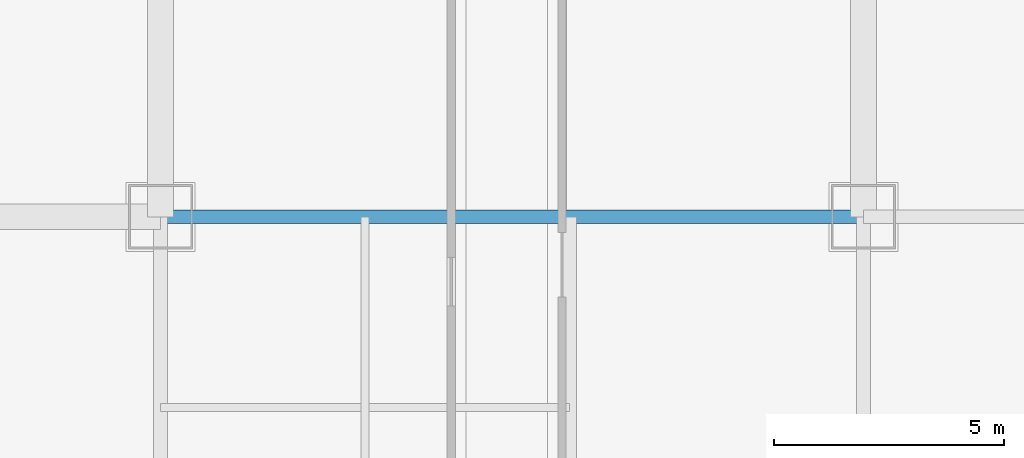
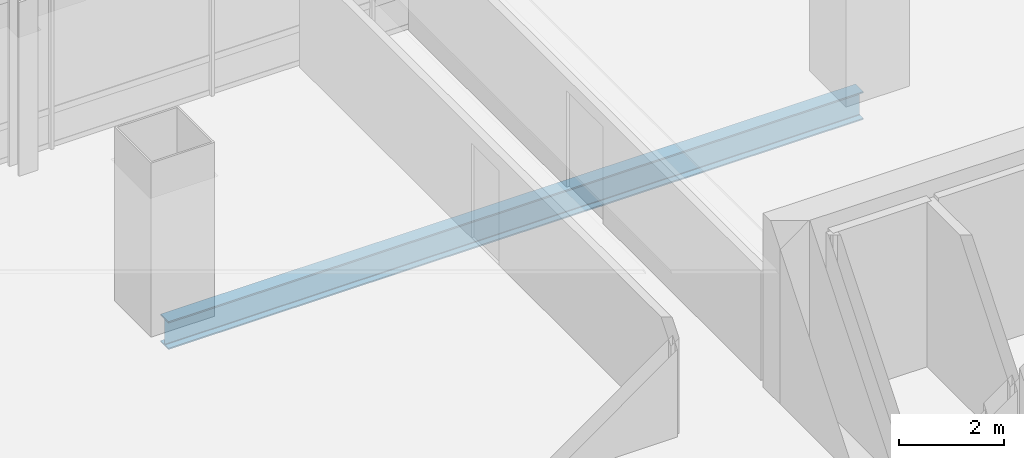
# One storey, part 20 of 38: 1 beam.
"""IFC4 building model written with IfcOpenShell, lengths in metres."""

from ifc_helpers import new_model, si_unit, direction, frame, origin, origin_2d, place, context, subcontext, project, spatial, i_section, extrude, material, material_profile, profile_set, type_object, element, save


model = new_model("IFC4")

# Units and contexts
model_context = context("Model", 3, precision=1e-05, world=origin(), true_north=direction((0.0, 1.0)))
body_context = subcontext(model_context, "Body", "Model", "MODEL_VIEW")
ifc_project = project(units=[si_unit("LENGTHUNIT", "METRE"), si_unit("AREAUNIT", "SQUARE_METRE"), si_unit("VOLUMEUNIT", "CUBIC_METRE"), si_unit("PLANEANGLEUNIT", "RADIAN"), si_unit("MASSUNIT", "GRAM", prefix="KILO")], contexts=[model_context])

# Site, building, storey
site_placement = place(None, origin())
site = spatial("IfcSite", under=ifc_project, at=site_placement, CompositionType="ELEMENT")
building_placement = place(site_placement, origin())
building = spatial("IfcBuilding", under=site, at=building_placement, Name="Punatoya Terracotta Tower", CompositionType="ELEMENT")
storey_placement = place(building_placement, frame((0.0, 0.0, 160.050048828125)))
storey = spatial("IfcBuildingStorey", under=building, at=storey_placement, Name="L37", CompositionType="ELEMENT", Elevation=160.050048828125)

# Beam
ifc_material = material(Name="Steel S355", Category="steel")
ifc_material_profile = material_profile(ifc_material, i_section(OverallWidth=0.300048828125, OverallDepth=0.64990234375, WebThickness=0.01611328125, FlangeThickness=0.031005859375, FilletRadius=0.01806640625, at=origin_2d()))
ifc_profile_set = profile_set([ifc_material_profile], Name="Steel S355")
beam_type = type_object("IfcBeamType", Name="BM-PRI-650", PredefinedType="BEAM", material=ifc_profile_set)
beam_placement = place(storey_placement, frame((-19.10009765625, 17.5, -0.545166015625), z_axis=(1.0, 0.0, 0.0), x_axis=(0.0, 1.0, 0.0)))
element("IfcBeam", 1, at=beam_placement, inside=storey, type_object=beam_type, Name="BM-L37-RG-N1", PredefinedType="BEAM", context=body_context, shape_type="SweptSolid", body=[
    extrude(i_section(OverallWidth=0.300048828125, OverallDepth=0.64990234375, WebThickness=0.01611328125, FlangeThickness=0.031005859375, FilletRadius=0.01806640625, at=origin_2d()), origin(), (0.0, 0.0, 1.0), 15.300048828125),
])

save(model, "model.ifc")
